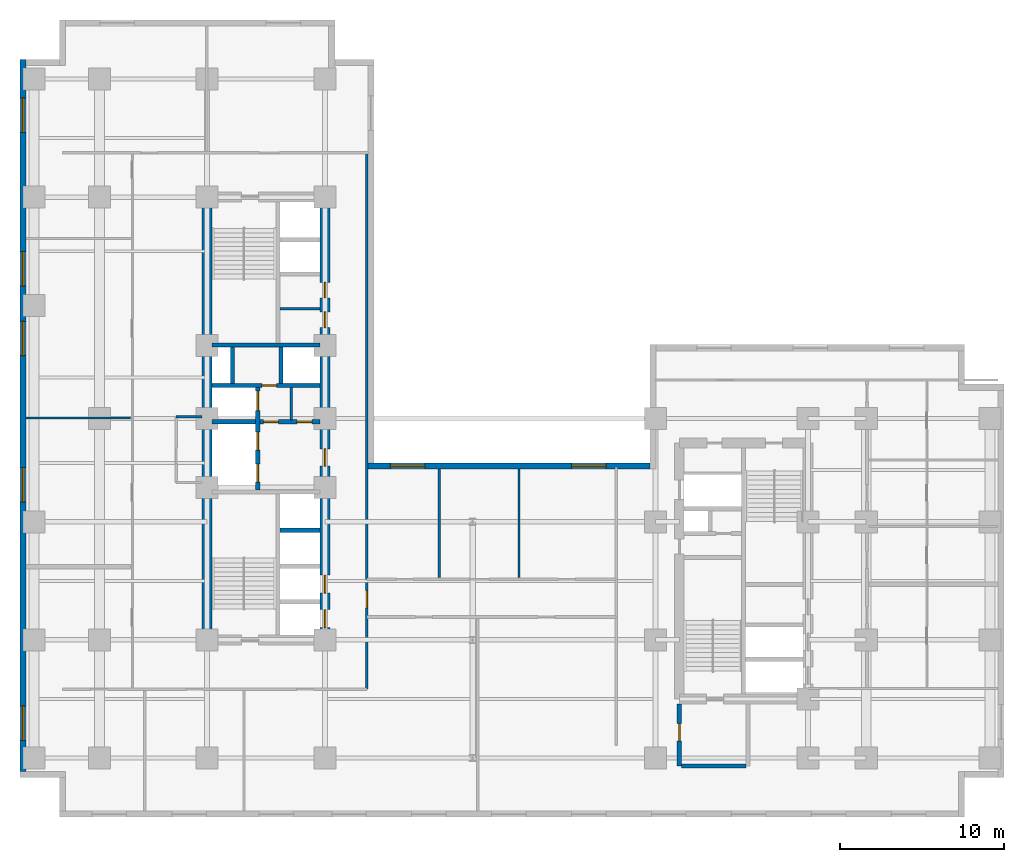
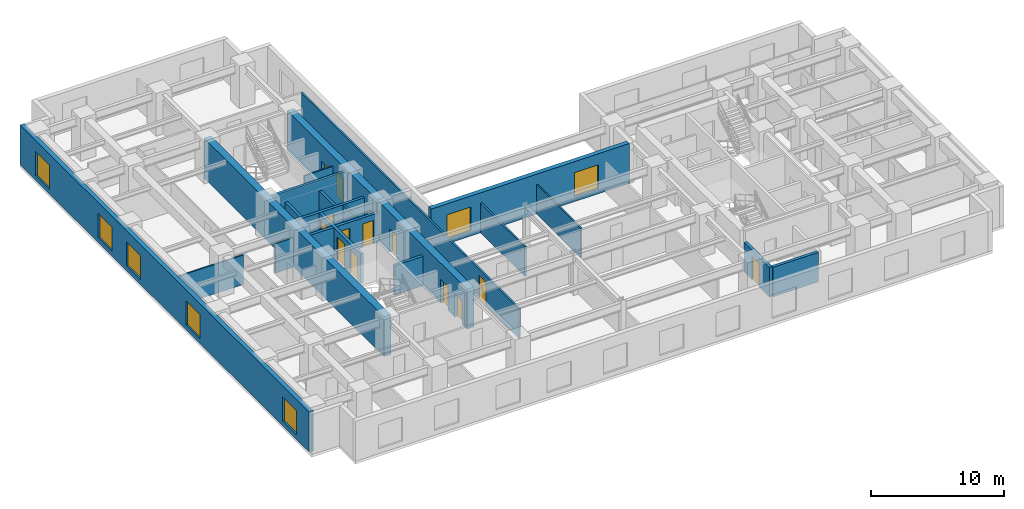
# One storey, part 4 of 10: 21 walls, 13 doors, 7 windows, 20 openings.
"""IFC4 building model written with IfcOpenShell, lengths in metres."""

import ifcopenshell
import ifcopenshell.guid

model = None  # the IFC model being written
_history = None  # IfcOwnerHistory: only IFC2X3 demands one
_inside = {}  # id of a spatial element -> (the spatial element, [elements in it])
_under = {}  # id of a project, library or spatial element -> (it, [spatial elements below it])
_declared = {}  # id of a project -> (the project, [libraries it declares])
_typed = {}  # id of a type object -> (the type object, [elements of that type])
_made_of = {}  # id of a material, layer set ... -> (it, [elements and type objects made of it])


def new_model(schema):
    """Start an empty IFC model of exactly this schema.

    Asked for "IFC4X3", IfcOpenShell would pick the latest addendum, in which some entities
    have other attributes; the version numbers below select the first issue.
    IFC2X3 requires an IfcOwnerHistory on every rooted entity: one is made here for all.
    """
    global model, _history
    if schema == "IFC4X3":
        model = ifcopenshell.file(schema_version=(4, 3, 0, 0))
    else:
        model = ifcopenshell.file(schema=schema)
    _inside.clear()
    _under.clear()
    _declared.clear()
    _typed.clear()
    _made_of.clear()
    _history = None
    if model.schema == "IFC2X3":
        org = make("IfcOrganization", Name="unknown")
        user = make(
            "IfcPersonAndOrganization",
            ThePerson=make("IfcPerson", FamilyName="unknown"),
            TheOrganization=org,
        )
        app = make(
            "IfcApplication",
            ApplicationDeveloper=org,
            Version="unknown",
            ApplicationFullName="unknown",
            ApplicationIdentifier="unknown",
        )
        _history = make(
            "IfcOwnerHistory",
            OwningUser=user,
            OwningApplication=app,
            ChangeAction="ADDED",
            CreationDate=0,
        )
    return model


def make(cls, **values):
    """One entity of the class cls with the attributes given. An attribute that is None is left unset."""
    return model.create_entity(
        cls, **{name: value for name, value in values.items() if value is not None}
    )


def entity(cls, *values):
    """Any entity or typed value of the class cls, its attributes in the order of the schema. None: left unset."""
    e = model.create_entity(cls)
    for i, value in enumerate(values):
        if value is not None:
            e[i] = value
    return e


def rooted(cls, **values):
    """An entity with a GlobalId (a new one), such as an element, a storey or a relation."""
    return make(cls, GlobalId=ifcopenshell.guid.new(), OwnerHistory=_history, **values)


def si_unit(unit_type, name, prefix=None):
    """IfcSIUnit, for example si_unit("LENGTHUNIT", "METRE", prefix="MILLI")."""
    return make("IfcSIUnit", UnitType=unit_type, Prefix=prefix, Name=name)


def converted_unit(unit_type, name, factor, base, dimensions=None, offset=None):
    """IfcConversionBasedUnit, such as the inch: factor (a typed value) times the base unit."""
    return make(
        "IfcConversionBasedUnit"
        if offset is None
        else "IfcConversionBasedUnitWithOffset",
        ConversionOffset=offset,
        Dimensions=None
        if dimensions is None
        else entity("IfcDimensionalExponents", *dimensions),
        UnitType=unit_type,
        Name=name,
        ConversionFactor=make(
            "IfcMeasureWithUnit", ValueComponent=factor, UnitComponent=base
        ),
    )


def assignment(units):
    """IfcUnitAssignment: the units of a project."""
    return None if units is None else make("IfcUnitAssignment", Units=units)


def point(xyz):
    """IfcCartesianPoint."""
    return None if xyz is None else make("IfcCartesianPoint", Coordinates=xyz)


def direction(xyz):
    """IfcDirection."""
    return None if xyz is None else make("IfcDirection", DirectionRatios=xyz)


def frame(location, z_axis=None, x_axis=None):
    """IfcAxis2Placement3D, a coordinate frame: its origin and axes. An axis left out is left unset."""
    return make(
        "IfcAxis2Placement3D",
        Location=point(location),
        Axis=direction(z_axis),
        RefDirection=direction(x_axis),
    )


def frame_2d(location, x_axis=None):
    """IfcAxis2Placement2D, a coordinate frame in the plane: its origin and x axis."""
    return make(
        "IfcAxis2Placement2D", Location=point(location), RefDirection=direction(x_axis)
    )


def origin_with_axes():
    """The frame at (0, 0, 0) with the z axis (0, 0, 1) and the x axis (1, 0, 0) written out."""
    return frame((0.0, 0.0, 0.0), z_axis=(0.0, 0.0, 1.0), x_axis=(1.0, 0.0, 0.0))


def origin_2d_with_axis():
    """The frame at (0, 0) in the plane with the x axis (1, 0) written out."""
    return frame_2d((0.0, 0.0), x_axis=(1.0, 0.0))


def place(relative_to, where):
    """IfcLocalPlacement: puts the frame where relative to a parent placement (None: the world)."""
    return make(
        "IfcLocalPlacement", PlacementRelTo=relative_to, RelativePlacement=where
    )


def context(
    kind, dimensions, precision=None, world=None, true_north=None, identifier=None
):
    """IfcGeometricRepresentationContext, for example the 3D "Model" context."""
    return make(
        "IfcGeometricRepresentationContext",
        ContextIdentifier=identifier,
        ContextType=kind,
        CoordinateSpaceDimension=dimensions,
        Precision=precision,
        WorldCoordinateSystem=world,
        TrueNorth=true_north,
    )


def subcontext(parent, identifier, kind, view, scale=None):
    """IfcGeometricRepresentationSubContext, for example "Body" below "Model"."""
    return make(
        "IfcGeometricRepresentationSubContext",
        ContextIdentifier=identifier,
        ContextType=kind,
        ParentContext=parent,
        TargetScale=scale,
        TargetView=view,
    )


def project(units=None, contexts=None):
    """IfcProject with its units and contexts."""
    return rooted(
        "IfcProject",
        Name="project",
        RepresentationContexts=contexts,
        UnitsInContext=assignment(units),
    )


def spatial(cls, under=None, at=None, **own):
    """A site, building, storey or space (cls), placed at a placement, below another one or the project."""
    s = rooted(cls, ObjectPlacement=at, **own)
    if under is not None:
        _under.setdefault(under.id(), (under, []))[1].append(s)
    return s


def polyline(points):
    """IfcPolyline through the points."""
    return make("IfcPolyline", Points=[point(p) for p in points])


def profile(cls, at=None, kind="AREA", **sizes):
    """A parametric profile (cls). Its sizes go by their IFC names, for example OverallWidth=200.0."""
    return make(cls, ProfileType=kind, Position=at, **sizes)


def rectangle(**sizes):
    """IfcRectangleProfileDef."""
    return profile("IfcRectangleProfileDef", **sizes)


def outline(outer, holes=None, kind="AREA"):
    """IfcArbitraryClosedProfileDef: a profile drawn as a closed curve; with holes, ...WithVoids."""
    if holes is None:
        return make("IfcArbitraryClosedProfileDef", ProfileType=kind, OuterCurve=outer)
    return make(
        "IfcArbitraryProfileDefWithVoids",
        ProfileType=kind,
        OuterCurve=outer,
        InnerCurves=holes,
    )


def extrude(swept, where, along, depth):
    """IfcExtrudedAreaSolid: the profile swept, set in the frame where, extruded along a direction by depth."""
    return make(
        "IfcExtrudedAreaSolid",
        SweptArea=swept,
        Position=where,
        ExtrudedDirection=direction(along),
        Depth=depth,
    )


def shape(context_of_items, identifier, shape_type, items):
    """IfcShapeRepresentation: the items that make up one representation, for example the "Body"."""
    return make(
        "IfcShapeRepresentation",
        ContextOfItems=context_of_items,
        RepresentationIdentifier=identifier,
        RepresentationType=shape_type,
        Items=items,
    )


def material(Name=None, Category=None):
    """IfcMaterial."""
    return make("IfcMaterial", Name=Name, Category=Category)


def layer(
    of_material, thickness, ventilated=None, Name=None, Category=None, Priority=None
):
    """IfcMaterialLayer: one layer of a wall or slab, of a material (None: an air gap)."""
    return make(
        "IfcMaterialLayer",
        Material=of_material,
        LayerThickness=thickness,
        IsVentilated=ventilated,
        Name=Name,
        Category=Category,
        Priority=Priority,
    )


def layer_set(layers, Name=None):
    """IfcMaterialLayerSet."""
    return make("IfcMaterialLayerSet", MaterialLayers=layers, LayerSetName=Name)


def made_of(thing, what):
    """Note that an element or type object is made of a material, layer set ...; save() writes the relation."""
    if what is not None:
        _made_of.setdefault(what.id(), (what, []))[1].append(thing)
    return thing


def type_object(cls, material=None, **own):
    """A type object (cls), such as IfcWallType, which elements share."""
    return made_of(rooted(cls, **own), material)


def element(
    cls,
    number,
    at=None,
    inside=None,
    cuts=None,
    type_object=None,
    material=None,
    context=None,
    identifier="Body",
    shape_type=None,
    held_by="IfcProductDefinitionShape",
    body=None,
    shapes=None,
    **own,
):
    """One element of the class cls, such as IfcWall. Its Tag is "e" and its number.

    at: its placement. inside: the storey or other place that contains it. cuts: it is an
    opening in that element (IfcRelVoidsElement). A single representation is given by context,
    identifier, shape_type and body (its items); several are given by shapes. held_by: the class
    of the entity that holds the representations. save() writes the other relations.
    """
    e = rooted(cls, Tag="e%d" % number, ObjectPlacement=at, **own)
    if body is not None:
        shapes = [shape(context, identifier, shape_type, body)]
    if shapes is not None:
        e.Representation = make(held_by, Representations=shapes)
    if inside is not None:
        _inside.setdefault(inside.id(), (inside, []))[1].append(e)
    if cuts is not None:
        rooted(
            "IfcRelVoidsElement", RelatingBuildingElement=cuts, RelatedOpeningElement=e
        )
    if type_object is not None:
        _typed.setdefault(type_object.id(), (type_object, []))[1].append(e)
    return made_of(e, material)


def fill(opening, filler):
    """IfcRelFillsElement: the door or window that sits in an opening."""
    return rooted(
        "IfcRelFillsElement",
        RelatingOpeningElement=opening,
        RelatedBuildingElement=filler,
    )


def aggregate(whole, parts):
    """IfcRelAggregates: a whole, such as a stair, and the parts it consists of."""
    return rooted("IfcRelAggregates", RelatingObject=whole, RelatedObjects=parts)


def save(model, path):
    """Write the relations noted so far, then the file.

    IfcRelAggregates (storeys below a building ...), IfcRelContainedInSpatialStructure (elements
    in a storey), IfcRelDefinesByType, IfcRelAssociatesMaterial and IfcRelDeclares: one each for
    every whole, place, type object, material and project.
    """
    for whole, parts in _under.values():
        aggregate(whole, parts)
    for where, things in _inside.values():
        rooted(
            "IfcRelContainedInSpatialStructure",
            RelatedElements=things,
            RelatingStructure=where,
        )
    for kind, things in _typed.values():
        rooted("IfcRelDefinesByType", RelatedObjects=things, RelatingType=kind)
    for what, things in _made_of.values():
        rooted("IfcRelAssociatesMaterial", RelatedObjects=things, RelatingMaterial=what)
    for by, libraries in _declared.values():
        rooted("IfcRelDeclares", RelatingContext=by, RelatedDefinitions=libraries)
    model.write(path)


model = new_model("IFC4")

# Units and contexts
model_context = context("Model", 3, precision=1e-05, world=origin_with_axes(), true_north=direction((0.0, 1.0)))
body_context = subcontext(model_context, "Body", "Model", "MODEL_VIEW")
ifc_project = project(units=[si_unit("LENGTHUNIT", "METRE"), si_unit("AREAUNIT", "SQUARE_METRE"), si_unit("VOLUMEUNIT", "CUBIC_METRE"), converted_unit("PLANEANGLEUNIT", "DEGREE", entity("IfcPlaneAngleMeasure", 0.017453292519943295), si_unit("PLANEANGLEUNIT", "RADIAN"), dimensions=[0, 0, 0, 0, 0, 0, 0]), si_unit("MASSUNIT", "GRAM", prefix="KILO"), si_unit("THERMODYNAMICTEMPERATUREUNIT", "KELVIN")], contexts=[model_context])

# Site, building, storey
site_placement = place(None, origin_with_axes())
site = spatial("IfcSite", under=ifc_project, at=site_placement, CompositionType="ELEMENT")
building_placement = place(site_placement, origin_with_axes())
building = spatial("IfcBuilding", under=site, at=building_placement, Name="Varnlund Millrace Tower", CompositionType="ELEMENT")
storey_placement = place(building_placement, frame((0.0, 0.0, 48.3), z_axis=(0.0, 0.0, 1.0), x_axis=(1.0, 0.0, 0.0)))
storey = spatial("IfcBuildingStorey", under=building, at=storey_placement, Name="L11", CompositionType="ELEMENT", Elevation=48.3)

# Wall
ifc_material_1 = material(Name="Concrete C80/95", Category="concrete")
ifc_layer_1 = layer(ifc_material_1, 0.6, Name="Concrete C80/95")
ifc_layer_set_1 = layer_set([ifc_layer_1], Name="Concrete C80/95")
wall_type_1 = type_object("IfcWallType", Name="Type-CoreWall-Shear-600-C80", PredefinedType="SHEAR", material=ifc_layer_set_1)
wall_1_placement = place(storey_placement, frame((11.4, 10.8, 0.0), z_axis=(0.0, 0.0, 1.0), x_axis=(0.0, 1.0, 0.0)))
element("IfcWall", 1, at=wall_1_placement, inside=storey, type_object=wall_type_1, Name="Type-CoreWall-Shear-600-C80", PredefinedType="SHEAR", context=body_context, shape_type="SweptSolid", body=[
    extrude(outline(polyline([(0.0, -0.3), (27.0, -0.3), (27.0, 0.3), (0.0, 0.3), (0.0, -0.3)])), origin_with_axes(), (0.0, 0.0, 1.0), 3.66),
])

# Wall, openings, doors
wall_2_placement = place(storey_placement, frame((18.6, 10.8, 0.0), z_axis=(0.0, 0.0, 1.0), x_axis=(0.0, 1.0, 0.0)))
wall_2 = element("IfcWall", 2, at=wall_2_placement, inside=storey, type_object=wall_type_1, Name="Type-CoreWall-Shear-600-C80", PredefinedType="SHEAR", context=body_context, shape_type="SweptSolid", body=[
    extrude(outline(polyline([(0.0, -0.3), (13.5, -0.3), (13.5, 0.3), (0.0, 0.3), (0.0, -0.3)])), origin_with_axes(), (0.0, 0.0, 1.0), 3.66),
])
opening_1_placement = place(wall_2_placement, frame((1.3, 0.0, 0.0), z_axis=(0.0, 0.0, 1.0), x_axis=(1.0, 0.0, 0.0)))
opening_1 = element("IfcOpeningElement", 3, at=opening_1_placement, cuts=wall_2, Name="Opening L11:LD-ELV-L1", PredefinedType="OPENING", context=body_context, shape_type="SweptSolid", body=[
    extrude(rectangle(XDim=1.1, YDim=0.62, at=origin_2d_with_axis()), origin_with_axes(), (0.0, 0.0, 1.0), 2.15),
])
opening_2_placement = place(wall_2_placement, frame((3.4, 0.0, 0.0), z_axis=(0.0, 0.0, 1.0), x_axis=(1.0, 0.0, 0.0)))
opening_2 = element("IfcOpeningElement", 4, at=opening_2_placement, cuts=wall_2, Name="Opening L11:LD-ELV-L2", PredefinedType="OPENING", context=body_context, shape_type="SweptSolid", body=[
    extrude(rectangle(XDim=1.1, YDim=0.62, at=origin_2d_with_axis()), origin_with_axes(), (0.0, 0.0, 1.0), 2.15),
])
opening_3_placement = place(wall_2_placement, frame((11.125, 0.0, 0.0), z_axis=(0.0, 0.0, 1.0), x_axis=(1.0, 0.0, 0.0)))
opening_3 = element("IfcOpeningElement", 5, at=opening_3_placement, cuts=wall_2, Name="Opening L11:DR-FFLOB-A", PredefinedType="OPENING", context=body_context, shape_type="SweptSolid", body=[
    extrude(rectangle(XDim=1.05, YDim=0.62, at=origin_2d_with_axis()), origin_with_axes(), (0.0, 0.0, 1.0), 2.15),
])
ifc_material_2 = material(Name="Smoke-barrier hollow steel fire door", Category="steel")
door_type_1 = type_object("IfcDoorType", Name="Type-FireDoor-Lobby-1050X2150", OperationType="NOTDEFINED", PredefinedType="DOOR", material=ifc_material_2)
door_1_placement = place(wall_2_placement, frame((11.125, 0.0, 0.0), z_axis=(0.0, 0.0, 1.0), x_axis=(1.0, 0.0, 0.0)))
door_1 = element("IfcDoor", 6, at=door_1_placement, inside=storey, type_object=door_type_1, Name="Type-FireDoor-Lobby-1050X2150", OperationType="SINGLE_SWING_LEFT", OverallHeight=2.15, OverallWidth=1.05, PredefinedType="DOOR", context=body_context, shape_type="SweptSolid", body=[
    extrude(rectangle(XDim=1.05, YDim=0.09, at=origin_2d_with_axis()), origin_with_axes(), (0.0, 0.0, 1.0), 2.15),
])
fill(opening_3, door_1)
ifc_material_3 = material(Name="Stainless and architectural bronze sliding landing door")
door_type_2 = type_object("IfcDoorType", Name="Type-LiftLandingDoor-1100X2150", OperationType="NOTDEFINED", PredefinedType="DOOR", material=ifc_material_3)
door_2_placement = place(wall_2_placement, frame((1.3, 0.0, 0.0), z_axis=(0.0, 0.0, 1.0), x_axis=(1.0, 0.0, 0.0)))
door_2 = element("IfcDoor", 7, at=door_2_placement, inside=storey, type_object=door_type_2, Name="Type-LiftLandingDoor-1100X2150", OperationType="SLIDING_TO_LEFT", OverallHeight=2.15, OverallWidth=1.1, PredefinedType="DOOR", context=body_context, shape_type="SweptSolid", body=[
    extrude(rectangle(XDim=1.1, YDim=0.09, at=origin_2d_with_axis()), origin_with_axes(), (0.0, 0.0, 1.0), 2.15),
])
fill(opening_1, door_2)
door_3_placement = place(wall_2_placement, frame((3.4, 0.0, 0.0), z_axis=(0.0, 0.0, 1.0), x_axis=(1.0, 0.0, 0.0)))
door_3 = element("IfcDoor", 8, at=door_3_placement, inside=storey, type_object=door_type_2, Name="Type-LiftLandingDoor-1100X2150", OperationType="SLIDING_TO_RIGHT", OverallHeight=2.15, OverallWidth=1.1, PredefinedType="DOOR", context=body_context, shape_type="SweptSolid", body=[
    extrude(rectangle(XDim=1.1, YDim=0.09, at=origin_2d_with_axis()), origin_with_axes(), (0.0, 0.0, 1.0), 2.15),
])
fill(opening_2, door_3)

wall_3_placement = place(storey_placement, frame((18.6, 24.3, 0.0), z_axis=(0.0, 0.0, 1.0), x_axis=(0.0, 1.0, 0.0)))
wall_3 = element("IfcWall", 9, at=wall_3_placement, inside=storey, type_object=wall_type_1, Name="Type-CoreWall-Shear-600-C80", PredefinedType="SHEAR", context=body_context, shape_type="SweptSolid", body=[
    extrude(outline(polyline([(0.0, -0.3), (13.5, -0.3), (13.5, 0.3), (0.0, 0.3), (0.0, -0.3)])), origin_with_axes(), (0.0, 0.0, 1.0), 3.66),
])
opening_4_placement = place(wall_3_placement, frame((6.025, 0.0, 0.0), z_axis=(0.0, 0.0, 1.0), x_axis=(1.0, 0.0, 0.0)))
opening_4 = element("IfcOpeningElement", 10, at=opening_4_placement, cuts=wall_3, Name="Opening L11:DR-CA-WC1", PredefinedType="OPENING", context=body_context, shape_type="SweptSolid", body=[
    extrude(rectangle(XDim=0.95, YDim=0.62, at=origin_2d_with_axis()), origin_with_axes(), (0.0, 0.0, 1.0), 2.15),
])
opening_5_placement = place(wall_3_placement, frame((7.825, 0.0, 0.0), z_axis=(0.0, 0.0, 1.0), x_axis=(1.0, 0.0, 0.0)))
opening_5 = element("IfcOpeningElement", 11, at=opening_5_placement, cuts=wall_3, Name="Opening L11:DR-CA-WC2", PredefinedType="OPENING", context=body_context, shape_type="SweptSolid", body=[
    extrude(rectangle(XDim=0.95, YDim=0.62, at=origin_2d_with_axis()), origin_with_axes(), (0.0, 0.0, 1.0), 2.15),
])
ifc_material_4 = material(Name="Fire-rated hollow steel core service door", Category="steel")
door_type_3 = type_object("IfcDoorType", Name="Type-FireDoor-Service-950X2150", OperationType="NOTDEFINED", PredefinedType="DOOR", material=ifc_material_4)
door_4_placement = place(wall_3_placement, frame((6.025, 0.0, 0.0), z_axis=(0.0, 0.0, 1.0), x_axis=(1.0, 0.0, 0.0)))
door_4 = element("IfcDoor", 12, at=door_4_placement, inside=storey, type_object=door_type_3, Name="Type-FireDoor-Service-950X2150", OperationType="SINGLE_SWING_RIGHT", OverallHeight=2.15, OverallWidth=0.95, PredefinedType="DOOR", context=body_context, shape_type="SweptSolid", body=[
    extrude(rectangle(XDim=0.95, YDim=0.09, at=origin_2d_with_axis()), origin_with_axes(), (0.0, 0.0, 1.0), 2.15),
])
fill(opening_4, door_4)
door_5_placement = place(wall_3_placement, frame((7.825, 0.0, 0.0), z_axis=(0.0, 0.0, 1.0), x_axis=(1.0, 0.0, 0.0)))
door_5 = element("IfcDoor", 13, at=door_5_placement, inside=storey, type_object=door_type_3, Name="Type-FireDoor-Service-950X2150", OperationType="SINGLE_SWING_RIGHT", OverallHeight=2.15, OverallWidth=0.95, PredefinedType="DOOR", context=body_context, shape_type="SweptSolid", body=[
    extrude(rectangle(XDim=0.95, YDim=0.09, at=origin_2d_with_axis()), origin_with_axes(), (0.0, 0.0, 1.0), 2.15),
])
fill(opening_5, door_5)

# Wall, openings, windows
ifc_material_5 = material(Name="Precast concrete C50/60", Category="concrete")
ifc_layer_2 = layer(ifc_material_5, 0.38, Name="Precast concrete C50/60")
ifc_layer_set_2 = layer_set([ifc_layer_2], Name="Precast concrete C50/60")
wall_type_2 = type_object("IfcWallType", Name="Type-ExtWall-Precast-Tube-380", PredefinedType="SOLIDWALL", material=ifc_layer_set_2)
wall_4_placement = place(storey_placement, frame((0.19, 2.78, 0.0), z_axis=(0.0, 0.0, 1.0), x_axis=(0.0, 1.0, 0.0)))
wall_4 = element("IfcWall", 14, at=wall_4_placement, inside=storey, type_object=wall_type_2, Name="Type-ExtWall-Precast-Tube-380", PredefinedType="SOLIDWALL", context=body_context, shape_type="SweptSolid", body=[
    extrude(outline(polyline([(0.0, -0.19), (43.42, -0.19), (43.42, 0.19), (0.0, 0.19), (0.0, -0.19)])), origin_with_axes(), (0.0, 0.0, 1.0), 3.66),
])
opening_6_placement = place(wall_4_placement, frame((2.946, 0.0, 0.45), z_axis=(0.0, 0.0, 1.0), x_axis=(1.0, 0.0, 0.0)))
opening_6 = element("IfcOpeningElement", 15, at=opening_6_placement, cuts=wall_4, Name="Opening L11:WN-16", PredefinedType="OPENING", context=body_context, shape_type="SweptSolid", body=[
    extrude(rectangle(XDim=2.1, YDim=0.4, at=origin_2d_with_axis()), origin_with_axes(), (0.0, 0.0, 1.0), 2.2),
])
opening_7_placement = place(wall_4_placement, frame((17.469, 0.0, 0.45), z_axis=(0.0, 0.0, 1.0), x_axis=(1.0, 0.0, 0.0)))
opening_7 = element("IfcOpeningElement", 16, at=opening_7_placement, cuts=wall_4, Name="Opening L11:WN-17", PredefinedType="OPENING", context=body_context, shape_type="SweptSolid", body=[
    extrude(rectangle(XDim=2.1, YDim=0.4, at=origin_2d_with_axis()), origin_with_axes(), (0.0, 0.0, 1.0), 2.2),
])
opening_8_placement = place(wall_4_placement, frame((26.401, 0.0, 0.45), z_axis=(0.0, 0.0, 1.0), x_axis=(1.0, 0.0, 0.0)))
opening_8 = element("IfcOpeningElement", 17, at=opening_8_placement, cuts=wall_4, Name="Opening L11:WN-18", PredefinedType="OPENING", context=body_context, shape_type="SweptSolid", body=[
    extrude(rectangle(XDim=2.1, YDim=0.4, at=origin_2d_with_axis()), origin_with_axes(), (0.0, 0.0, 1.0), 2.2),
])
opening_9_placement = place(wall_4_placement, frame((30.642, 0.0, 0.45), z_axis=(0.0, 0.0, 1.0), x_axis=(1.0, 0.0, 0.0)))
opening_9 = element("IfcOpeningElement", 18, at=opening_9_placement, cuts=wall_4, Name="Opening L11:WN-19", PredefinedType="OPENING", context=body_context, shape_type="SweptSolid", body=[
    extrude(rectangle(XDim=2.1, YDim=0.4, at=origin_2d_with_axis()), origin_with_axes(), (0.0, 0.0, 1.0), 2.2),
])
opening_10_placement = place(wall_4_placement, frame((40.024, 0.0, 0.45), z_axis=(0.0, 0.0, 1.0), x_axis=(1.0, 0.0, 0.0)))
opening_10 = element("IfcOpeningElement", 19, at=opening_10_placement, cuts=wall_4, Name="Opening L11:WN-20", PredefinedType="OPENING", context=body_context, shape_type="SweptSolid", body=[
    extrude(rectangle(XDim=2.1, YDim=0.4, at=origin_2d_with_axis()), origin_with_axes(), (0.0, 0.0, 1.0), 2.2),
])
ifc_material_6 = material(Name="Argon low-e triple glazing in thermally broken bronze frame", Category="glass")
window_type = type_object("IfcWindowType", Name="Type-Window-Punched-2100X2200", PartitioningType="SINGLE_PANEL", PredefinedType="WINDOW", material=ifc_material_6)
window_1_placement = place(wall_4_placement, frame((2.946, 0.0, 0.45), z_axis=(0.0, 0.0, 1.0), x_axis=(1.0, 0.0, 0.0)))
window_1 = element("IfcWindow", 20, at=window_1_placement, inside=storey, type_object=window_type, Name="Type-Window-Punched-2100X2200", OverallHeight=2.2, OverallWidth=2.1, PredefinedType="WINDOW", context=body_context, shape_type="SweptSolid", body=[
    extrude(rectangle(XDim=2.1, YDim=0.09, at=origin_2d_with_axis()), origin_with_axes(), (0.0, 0.0, 1.0), 2.2),
])
fill(opening_6, window_1)
window_2_placement = place(wall_4_placement, frame((17.469, 0.0, 0.45), z_axis=(0.0, 0.0, 1.0), x_axis=(1.0, 0.0, 0.0)))
window_2 = element("IfcWindow", 21, at=window_2_placement, inside=storey, type_object=window_type, Name="Type-Window-Punched-2100X2200", OverallHeight=2.2, OverallWidth=2.1, PredefinedType="WINDOW", context=body_context, shape_type="SweptSolid", body=[
    extrude(rectangle(XDim=2.1, YDim=0.09, at=origin_2d_with_axis()), origin_with_axes(), (0.0, 0.0, 1.0), 2.2),
])
fill(opening_7, window_2)
window_3_placement = place(wall_4_placement, frame((26.401, 0.0, 0.45), z_axis=(0.0, 0.0, 1.0), x_axis=(1.0, 0.0, 0.0)))
window_3 = element("IfcWindow", 22, at=window_3_placement, inside=storey, type_object=window_type, Name="Type-Window-Punched-2100X2200", OverallHeight=2.2, OverallWidth=2.1, PredefinedType="WINDOW", context=body_context, shape_type="SweptSolid", body=[
    extrude(rectangle(XDim=2.1, YDim=0.09, at=origin_2d_with_axis()), origin_with_axes(), (0.0, 0.0, 1.0), 2.2),
])
fill(opening_8, window_3)
window_4_placement = place(wall_4_placement, frame((30.642, 0.0, 0.45), z_axis=(0.0, 0.0, 1.0), x_axis=(1.0, 0.0, 0.0)))
window_4 = element("IfcWindow", 23, at=window_4_placement, inside=storey, type_object=window_type, Name="Type-Window-Punched-2100X2200", OverallHeight=2.2, OverallWidth=2.1, PredefinedType="WINDOW", context=body_context, shape_type="SweptSolid", body=[
    extrude(rectangle(XDim=2.1, YDim=0.09, at=origin_2d_with_axis()), origin_with_axes(), (0.0, 0.0, 1.0), 2.2),
])
fill(opening_9, window_4)
window_5_placement = place(wall_4_placement, frame((40.024, 0.0, 0.45), z_axis=(0.0, 0.0, 1.0), x_axis=(1.0, 0.0, 0.0)))
window_5 = element("IfcWindow", 24, at=window_5_placement, inside=storey, type_object=window_type, Name="Type-Window-Punched-2100X2200", OverallHeight=2.2, OverallWidth=2.1, PredefinedType="WINDOW", context=body_context, shape_type="SweptSolid", body=[
    extrude(rectangle(XDim=2.1, YDim=0.09, at=origin_2d_with_axis()), origin_with_axes(), (0.0, 0.0, 1.0), 2.2),
])
fill(opening_10, window_5)

wall_5_placement = place(storey_placement, frame((21.22, 21.41, 0.0), z_axis=(0.0, 0.0, 1.0), x_axis=(1.0, 0.0, 0.0)))
wall_5 = element("IfcWall", 25, at=wall_5_placement, inside=storey, type_object=wall_type_2, Name="Type-ExtWall-Precast-Tube-380", PredefinedType="SOLIDWALL", context=body_context, shape_type="SweptSolid", body=[
    extrude(outline(polyline([(0.0, -0.19), (17.18, -0.19), (17.18, 0.19), (0.0, 0.19), (0.0, -0.19)])), origin_with_axes(), (0.0, 0.0, 1.0), 3.66),
])
opening_11_placement = place(wall_5_placement, frame((2.413, 0.0, 0.45), z_axis=(0.0, 0.0, 1.0), x_axis=(1.0, 0.0, 0.0)))
opening_11 = element("IfcOpeningElement", 26, at=opening_11_placement, cuts=wall_5, Name="Opening L11:WN-24", PredefinedType="OPENING", context=body_context, shape_type="SweptSolid", body=[
    extrude(rectangle(XDim=2.1, YDim=0.4, at=origin_2d_with_axis()), origin_with_axes(), (0.0, 0.0, 1.0), 2.2),
])
opening_12_placement = place(wall_5_placement, frame((13.467, 0.0, 0.45), z_axis=(0.0, 0.0, 1.0), x_axis=(1.0, 0.0, 0.0)))
opening_12 = element("IfcOpeningElement", 27, at=opening_12_placement, cuts=wall_5, Name="Opening L11:WN-25", PredefinedType="OPENING", context=body_context, shape_type="SweptSolid", body=[
    extrude(rectangle(XDim=2.1, YDim=0.4, at=origin_2d_with_axis()), origin_with_axes(), (0.0, 0.0, 1.0), 2.2),
])
window_6_placement = place(wall_5_placement, frame((2.413, 0.0, 0.45), z_axis=(0.0, 0.0, 1.0), x_axis=(1.0, 0.0, 0.0)))
window_6 = element("IfcWindow", 28, at=window_6_placement, inside=storey, type_object=window_type, Name="Type-Window-Punched-2100X2200", OverallHeight=2.2, OverallWidth=2.1, PredefinedType="WINDOW", context=body_context, shape_type="SweptSolid", body=[
    extrude(rectangle(XDim=2.1, YDim=0.09, at=origin_2d_with_axis()), origin_with_axes(), (0.0, 0.0, 1.0), 2.2),
])
fill(opening_11, window_6)
window_7_placement = place(wall_5_placement, frame((13.467, 0.0, 0.45), z_axis=(0.0, 0.0, 1.0), x_axis=(1.0, 0.0, 0.0)))
window_7 = element("IfcWindow", 29, at=window_7_placement, inside=storey, type_object=window_type, Name="Type-Window-Punched-2100X2200", OverallHeight=2.2, OverallWidth=2.1, PredefinedType="WINDOW", context=body_context, shape_type="SweptSolid", body=[
    extrude(rectangle(XDim=2.1, YDim=0.09, at=origin_2d_with_axis()), origin_with_axes(), (0.0, 0.0, 1.0), 2.2),
])
fill(opening_12, window_7)

# Wall
ifc_material_7 = material(Name="Fire-rated gypsum board on cold-formed steel framing", Category="steel")
ifc_layer_3 = layer(ifc_material_7, 0.16, Name="Fire-rated gypsum board on cold-formed steel framing")
ifc_layer_set_3 = layer_set([ifc_layer_3], Name="Fire-rated gypsum board on cold-formed steel framing")
wall_type_3 = type_object("IfcWallType", Name="Type-Partition-Corridor-160", PredefinedType="PARTITIONING", material=ifc_layer_set_3)
wall_6_placement = place(storey_placement, frame((16.55, 24.22, 0.0), z_axis=(0.0, 0.0, 1.0), x_axis=(0.0, 1.0, 0.0)))
element("IfcWall", 30, at=wall_6_placement, inside=storey, type_object=wall_type_3, Name="Type-Partition-Corridor-160", PredefinedType="PARTITIONING", context=body_context, shape_type="SweptSolid", body=[
    extrude(outline(polyline([(0.0, -0.08), (1.98, -0.08), (1.98, 0.08), (0.0, 0.08), (0.0, -0.08)])), origin_with_axes(), (0.0, 0.0, 1.0), 2.7),
])

# Wall, opening, door
wall_7_placement = place(storey_placement, frame((21.15, 7.8, 0.0), z_axis=(0.0, 0.0, 1.0), x_axis=(0.0, 1.0, 0.0)))
wall_7 = element("IfcWall", 31, at=wall_7_placement, inside=storey, type_object=wall_type_3, Name="Type-Partition-Corridor-160", PredefinedType="PARTITIONING", context=body_context, shape_type="SweptSolid", body=[
    extrude(outline(polyline([(0.0, -0.08), (32.7, -0.08), (32.7, 0.08), (0.0, 0.08), (0.0, -0.08)])), origin_with_axes(), (0.0, 0.0, 1.0), 2.7),
])
opening_13_placement = place(wall_7_placement, frame((5.475, 0.0, 0.0), z_axis=(0.0, 0.0, 1.0), x_axis=(1.0, 0.0, 0.0)))
opening_13 = element("IfcOpeningElement", 32, at=opening_13_placement, cuts=wall_7, Name="Opening L11:DR-KN-W", PredefinedType="OPENING", context=body_context, shape_type="SweptSolid", body=[
    extrude(rectangle(XDim=1.05, YDim=0.18, at=origin_2d_with_axis()), origin_with_axes(), (0.0, 0.0, 1.0), 2.15),
])
door_6_placement = place(wall_7_placement, frame((5.475, 0.0, 0.0), z_axis=(0.0, 0.0, 1.0), x_axis=(1.0, 0.0, 0.0)))
door_6 = element("IfcDoor", 33, at=door_6_placement, inside=storey, type_object=door_type_1, Name="Type-FireDoor-Lobby-1050X2150", OperationType="SINGLE_SWING_LEFT", OverallHeight=2.15, OverallWidth=1.05, PredefinedType="DOOR", context=body_context, shape_type="SweptSolid", body=[
    extrude(rectangle(XDim=1.05, YDim=0.09, at=origin_2d_with_axis()), origin_with_axes(), (0.0, 0.0, 1.0), 2.15),
])
fill(opening_13, door_6)

# Walls
ifc_material_8 = material(Name="Acoustic STC-50 gypsum board partition", Category="gypsum")
ifc_layer_4 = layer(ifc_material_8, 0.15, Name="Acoustic STC-50 gypsum board partition")
ifc_layer_set_4 = layer_set([ifc_layer_4], Name="Acoustic STC-50 gypsum board partition")
wall_type_4 = type_object("IfcWallType", Name="Type-Partition-Demising-150", PredefinedType="PARTITIONING", material=ifc_layer_set_4)
wall_8_placement = place(storey_placement, frame((25.575, 14.62, 0.0), z_axis=(0.0, 0.0, 1.0), x_axis=(0.0, 1.0, 0.0)))
element("IfcWall", 34, at=wall_8_placement, inside=storey, type_object=wall_type_4, Name="Type-Partition-Demising-150", PredefinedType="PARTITIONING", context=body_context, shape_type="SweptSolid", body=[
    extrude(outline(polyline([(0.0, -0.075), (6.605, -0.075), (6.605, 0.075), (0.0, 0.075), (0.0, -0.075)])), origin_with_axes(), (0.0, 0.0, 1.0), 2.7),
])
ifc_material_9 = material(Name="Gypsum board tenant partition", Category="gypsum")
ifc_layer_5 = layer(ifc_material_9, 0.125, Name="Gypsum board tenant partition")
ifc_layer_set_5 = layer_set([ifc_layer_5], Name="Gypsum board tenant partition")
wall_type_5 = type_object("IfcWallType", Name="Type-Partition-Tenant-125", PredefinedType="PARTITIONING", material=ifc_layer_set_5)
wall_9_placement = place(storey_placement, frame((0.375, 24.329, 0.0), z_axis=(0.0, 0.0, 1.0), x_axis=(1.0, 0.0, 0.0)))
element("IfcWall", 35, at=wall_9_placement, inside=storey, type_object=wall_type_5, Name="Type-Partition-Tenant-125", PredefinedType="PARTITIONING", context=body_context, shape_type="SweptSolid", body=[
    extrude(outline(polyline([(0.0, -0.0625), (6.355, -0.0625), (6.355, 0.0625), (0.0, 0.0625), (0.0, -0.0625)])), origin_with_axes(), (0.0, 0.0, 1.0), 2.7),
])
wall_10_placement = place(storey_placement, frame((30.427, 14.62, 0.0), z_axis=(0.0, 0.0, 1.0), x_axis=(0.0, 1.0, 0.0)))
element("IfcWall", 36, at=wall_10_placement, inside=storey, type_object=wall_type_5, Name="Type-Partition-Tenant-125", PredefinedType="PARTITIONING", context=body_context, shape_type="SweptSolid", body=[
    extrude(outline(polyline([(0.0, -0.0625), (6.605, -0.0625), (6.605, 0.0625), (0.0, 0.0625), (0.0, -0.0625)])), origin_with_axes(), (0.0, 0.0, 1.0), 2.7),
])
ifc_material_10 = material(Name="Moisture-resistant gypsum restroom partition", Category="gypsum")
ifc_layer_6 = layer(ifc_material_10, 0.14, Name="Moisture-resistant gypsum restroom partition")
ifc_layer_set_6 = layer_set([ifc_layer_6], Name="Moisture-resistant gypsum restroom partition")
wall_type_6 = type_object("IfcWallType", Name="Type-Partition-Wet-140", PredefinedType="PARTITIONING", material=ifc_layer_set_6)
wall_11_placement = place(storey_placement, frame((15.84, 31.0, 0.0), z_axis=(0.0, 0.0, 1.0), x_axis=(1.0, 0.0, 0.0)))
element("IfcWall", 37, at=wall_11_placement, inside=storey, type_object=wall_type_6, Name="Type-Partition-Wet-140", PredefinedType="PARTITIONING", context=body_context, shape_type="SweptSolid", body=[
    extrude(outline(polyline([(0.0, -0.07), (2.46, -0.07), (2.46, 0.07), (0.0, 0.07), (0.0, -0.07)])), origin_with_axes(), (0.0, 0.0, 1.0), 2.7),
])
wall_12_placement = place(storey_placement, frame((9.52, 24.4, 0.0), z_axis=(0.0, 0.0, 1.0), x_axis=(1.0, 0.0, 0.0)))
element("IfcWall", 38, at=wall_12_placement, inside=storey, type_object=wall_type_6, Name="Type-Partition-Wet-140", PredefinedType="PARTITIONING", context=body_context, shape_type="SweptSolid", body=[
    extrude(outline(polyline([(0.0, -0.07), (1.58, -0.07), (1.58, 0.07), (0.0, 0.07), (0.0, -0.07)])), origin_with_axes(), (0.0, 0.0, 1.0), 2.7),
])

# Wall, openings, doors
ifc_material_11 = material(Name="Concrete C60/75", Category="concrete")
ifc_layer_7 = layer(ifc_material_11, 0.25, Name="Concrete C60/75")
ifc_layer_set_7 = layer_set([ifc_layer_7], Name="Concrete C60/75")
wall_type_7 = type_object("IfcWallType", Name="Type-ShaftWall-Fire-250", PredefinedType="SOLIDWALL", material=ifc_layer_set_7)
wall_13_placement = place(storey_placement, frame((14.5, 19.95, 0.0), z_axis=(0.0, 0.0, 1.0), x_axis=(0.0, 1.0, 0.0)))
wall_13 = element("IfcWall", 39, at=wall_13_placement, inside=storey, type_object=wall_type_7, Name="Type-ShaftWall-Fire-250", PredefinedType="SOLIDWALL", context=body_context, shape_type="SweptSolid", body=[
    extrude(outline(polyline([(0.0, -0.125), (6.25, -0.125), (6.25, 0.125), (0.0, 0.125), (0.0, -0.125)])), origin_with_axes(), (0.0, 0.0, 1.0), 2.7),
])
opening_14_placement = place(wall_13_placement, frame((1.025, 0.0, 0.0), z_axis=(0.0, 0.0, 1.0), x_axis=(1.0, 0.0, 0.0)))
opening_14 = element("IfcOpeningElement", 40, at=opening_14_placement, cuts=wall_13, Name="Opening L11:LD-FSAE1", PredefinedType="OPENING", context=body_context, shape_type="SweptSolid", body=[
    extrude(rectangle(XDim=1.1, YDim=0.27, at=origin_2d_with_axis()), origin_with_axes(), (0.0, 0.0, 1.0), 2.15),
])
opening_15_placement = place(wall_13_placement, frame((2.975, 0.0, 0.0), z_axis=(0.0, 0.0, 1.0), x_axis=(1.0, 0.0, 0.0)))
opening_15 = element("IfcOpeningElement", 41, at=opening_15_placement, cuts=wall_13, Name="Opening L11:LD-FSAE2", PredefinedType="OPENING", context=body_context, shape_type="SweptSolid", body=[
    extrude(rectangle(XDim=1.1, YDim=0.27, at=origin_2d_with_axis()), origin_with_axes(), (0.0, 0.0, 1.0), 2.15),
])
opening_16_placement = place(wall_13_placement, frame((5.425, 0.0, 0.0), z_axis=(0.0, 0.0, 1.0), x_axis=(1.0, 0.0, 0.0)))
opening_16 = element("IfcOpeningElement", 42, at=opening_16_placement, cuts=wall_13, Name="Opening L11:LD-SRV1", PredefinedType="OPENING", context=body_context, shape_type="SweptSolid", body=[
    extrude(rectangle(XDim=1.2, YDim=0.27, at=origin_2d_with_axis()), origin_with_axes(), (0.0, 0.0, 1.0), 2.15),
])
door_7_placement = place(wall_13_placement, frame((1.025, 0.0, 0.0), z_axis=(0.0, 0.0, 1.0), x_axis=(1.0, 0.0, 0.0)))
door_7 = element("IfcDoor", 43, at=door_7_placement, inside=storey, type_object=door_type_2, Name="Type-LiftLandingDoor-1100X2150", OperationType="SLIDING_TO_LEFT", OverallHeight=2.15, OverallWidth=1.1, PredefinedType="DOOR", context=body_context, shape_type="SweptSolid", body=[
    extrude(rectangle(XDim=1.1, YDim=0.09, at=origin_2d_with_axis()), origin_with_axes(), (0.0, 0.0, 1.0), 2.15),
])
fill(opening_14, door_7)
door_8_placement = place(wall_13_placement, frame((2.975, 0.0, 0.0), z_axis=(0.0, 0.0, 1.0), x_axis=(1.0, 0.0, 0.0)))
door_8 = element("IfcDoor", 44, at=door_8_placement, inside=storey, type_object=door_type_2, Name="Type-LiftLandingDoor-1100X2150", OperationType="SLIDING_TO_RIGHT", OverallHeight=2.15, OverallWidth=1.1, PredefinedType="DOOR", context=body_context, shape_type="SweptSolid", body=[
    extrude(rectangle(XDim=1.1, YDim=0.09, at=origin_2d_with_axis()), origin_with_axes(), (0.0, 0.0, 1.0), 2.15),
])
fill(opening_15, door_8)
ifc_material_12 = material(Name="Heavy-duty freight sliding landing door")
door_type_4 = type_object("IfcDoorType", Name="Type-LiftLandingDoor-Service-1200X2150", OperationType="NOTDEFINED", PredefinedType="DOOR", material=ifc_material_12)
door_9_placement = place(wall_13_placement, frame((5.425, 0.0, 0.0), z_axis=(0.0, 0.0, 1.0), x_axis=(1.0, 0.0, 0.0)))
door_9 = element("IfcDoor", 45, at=door_9_placement, inside=storey, type_object=door_type_4, Name="Type-LiftLandingDoor-Service-1200X2150", OperationType="DOUBLE_DOOR_SLIDING", OverallHeight=2.15, OverallWidth=1.2, PredefinedType="DOOR", context=body_context, shape_type="SweptSolid", body=[
    extrude(rectangle(XDim=1.2, YDim=0.09, at=origin_2d_with_axis()), origin_with_axes(), (0.0, 0.0, 1.0), 2.15),
])
fill(opening_16, door_9)

wall_14_placement = place(storey_placement, frame((11.7, 24.1, 0.0), z_axis=(0.0, 0.0, 1.0), x_axis=(1.0, 0.0, 0.0)))
wall_14 = element("IfcWall", 46, at=wall_14_placement, inside=storey, type_object=wall_type_7, Name="Type-ShaftWall-Fire-250", PredefinedType="SOLIDWALL", context=body_context, shape_type="SweptSolid", body=[
    extrude(outline(polyline([(0.0, -0.125), (6.6, -0.125), (6.6, 0.125), (0.0, 0.125), (0.0, -0.125)])), origin_with_axes(), (0.0, 0.0, 1.0), 2.7),
])
opening_17_placement = place(wall_14_placement, frame((3.6, 0.0, 0.0), z_axis=(0.0, 0.0, 1.0), x_axis=(1.0, 0.0, 0.0)))
opening_17 = element("IfcOpeningElement", 47, at=opening_17_placement, cuts=wall_14, Name="Opening L11:DR-CA-SUB1", PredefinedType="OPENING", context=body_context, shape_type="SweptSolid", body=[
    extrude(rectangle(XDim=0.9, YDim=0.27, at=origin_2d_with_axis()), origin_with_axes(), (0.0, 0.0, 1.0), 2.15),
])
opening_18_placement = place(wall_14_placement, frame((5.65, 0.0, 0.0), z_axis=(0.0, 0.0, 1.0), x_axis=(1.0, 0.0, 0.0)))
opening_18 = element("IfcOpeningElement", 48, at=opening_18_placement, cuts=wall_14, Name="Opening L11:DR-CA-SUB2", PredefinedType="OPENING", context=body_context, shape_type="SweptSolid", body=[
    extrude(rectangle(XDim=0.9, YDim=0.27, at=origin_2d_with_axis()), origin_with_axes(), (0.0, 0.0, 1.0), 2.15),
])
ifc_material_13 = material(Name="Fire-rated hollow steel service closet door", Category="steel")
door_type_5 = type_object("IfcDoorType", Name="Type-FireDoor-Closet-900X2150", OperationType="NOTDEFINED", PredefinedType="DOOR", material=ifc_material_13)
door_10_placement = place(wall_14_placement, frame((3.6, 0.0, 0.0), z_axis=(0.0, 0.0, 1.0), x_axis=(1.0, 0.0, 0.0)))
door_10 = element("IfcDoor", 49, at=door_10_placement, inside=storey, type_object=door_type_5, Name="Type-FireDoor-Closet-900X2150", OperationType="SINGLE_SWING_LEFT", OverallHeight=2.15, OverallWidth=0.9, PredefinedType="DOOR", context=body_context, shape_type="SweptSolid", body=[
    extrude(rectangle(XDim=0.9, YDim=0.09, at=origin_2d_with_axis()), origin_with_axes(), (0.0, 0.0, 1.0), 2.15),
])
fill(opening_17, door_10)
door_11_placement = place(wall_14_placement, frame((5.65, 0.0, 0.0), z_axis=(0.0, 0.0, 1.0), x_axis=(1.0, 0.0, 0.0)))
door_11 = element("IfcDoor", 50, at=door_11_placement, inside=storey, type_object=door_type_5, Name="Type-FireDoor-Closet-900X2150", OperationType="SINGLE_SWING_LEFT", OverallHeight=2.15, OverallWidth=0.9, PredefinedType="DOOR", context=body_context, shape_type="SweptSolid", body=[
    extrude(rectangle(XDim=0.9, YDim=0.09, at=origin_2d_with_axis()), origin_with_axes(), (0.0, 0.0, 1.0), 2.15),
])
fill(opening_18, door_11)

# Wall, opening, door
wall_15_placement = place(storey_placement, frame((11.7, 26.325, 0.0), z_axis=(0.0, 0.0, 1.0), x_axis=(1.0, 0.0, 0.0)))
wall_15 = element("IfcWall", 51, at=wall_15_placement, inside=storey, type_object=wall_type_7, Name="Type-ShaftWall-Fire-250", PredefinedType="SOLIDWALL", context=body_context, shape_type="SweptSolid", body=[
    extrude(outline(polyline([(0.0, -0.125), (6.6, -0.125), (6.6, 0.125), (0.0, 0.125), (0.0, -0.125)])), origin_with_axes(), (0.0, 0.0, 1.0), 2.7),
])
opening_19_placement = place(wall_15_placement, frame((3.5, 0.0, 0.0), z_axis=(0.0, 0.0, 1.0), x_axis=(1.0, 0.0, 0.0)))
opening_19 = element("IfcOpeningElement", 52, at=opening_19_placement, cuts=wall_15, Name="Opening L11:DR-CA-ELC", PredefinedType="OPENING", context=body_context, shape_type="SweptSolid", body=[
    extrude(rectangle(XDim=0.9, YDim=0.27, at=origin_2d_with_axis()), origin_with_axes(), (0.0, 0.0, 1.0), 2.15),
])
door_12_placement = place(wall_15_placement, frame((3.5, 0.0, 0.0), z_axis=(0.0, 0.0, 1.0), x_axis=(1.0, 0.0, 0.0)))
door_12 = element("IfcDoor", 53, at=door_12_placement, inside=storey, type_object=door_type_5, Name="Type-FireDoor-Closet-900X2150", OperationType="SINGLE_SWING_LEFT", OverallHeight=2.15, OverallWidth=0.9, PredefinedType="DOOR", context=body_context, shape_type="SweptSolid", body=[
    extrude(rectangle(XDim=0.9, YDim=0.09, at=origin_2d_with_axis()), origin_with_axes(), (0.0, 0.0, 1.0), 2.15),
])
fill(opening_19, door_12)

# Walls
for number, where, z_axis, x_axis, name in (
    (54, (12.96, 26.45, 0.0), (0.0, 0.0, 1.0), (0.0, 1.0, 0.0), "Type-ShaftWall-Fire-250"),
    (55, (15.925, 26.45, 0.0), (0.0, 0.0, 1.0), (0.0, 1.0, 0.0), "Type-ShaftWall-Fire-250"),
):
    element("IfcWall", number, at=place(storey_placement, frame(where, z_axis=z_axis, x_axis=x_axis)), inside=storey, type_object=wall_type_7, Name=name, PredefinedType="SOLIDWALL", context=body_context, shape_type="SweptSolid", body=[
        extrude(outline(polyline([(0.0, -0.125), (2.2, -0.125), (2.2, 0.125), (0.0, 0.125), (0.0, -0.125)])), origin_with_axes(), (0.0, 0.0, 1.0), 2.7),
    ])

# Wall, opening, door
wall_16_placement = place(storey_placement, frame((40.2, 3.1, 0.0), z_axis=(0.0, 0.0, 1.0), x_axis=(0.0, 1.0, 0.0)))
wall_16 = element("IfcWall", 56, at=wall_16_placement, inside=storey, type_object=wall_type_7, Name="Type-ShaftWall-Fire-250", PredefinedType="SOLIDWALL", context=body_context, shape_type="SweptSolid", body=[
    extrude(outline(polyline([(0.0, -0.125), (3.8, -0.125), (3.8, 0.125), (0.0, 0.125), (0.0, -0.125)])), origin_with_axes(), (0.0, 0.0, 1.0), 2.7),
])
opening_20_placement = place(wall_16_placement, frame((2.075, 0.0, 0.0), z_axis=(0.0, 0.0, 1.0), x_axis=(1.0, 0.0, 0.0)))
opening_20 = element("IfcOpeningElement", 57, at=opening_20_placement, cuts=wall_16, Name="Opening L11:DR-FFLOB-B", PredefinedType="OPENING", context=body_context, shape_type="SweptSolid", body=[
    extrude(rectangle(XDim=1.05, YDim=0.27, at=origin_2d_with_axis()), origin_with_axes(), (0.0, 0.0, 1.0), 2.15),
])
door_13_placement = place(wall_16_placement, frame((2.075, 0.0, 0.0), z_axis=(0.0, 0.0, 1.0), x_axis=(1.0, 0.0, 0.0)))
door_13 = element("IfcDoor", 58, at=door_13_placement, inside=storey, type_object=door_type_1, Name="Type-FireDoor-Lobby-1050X2150", OperationType="SINGLE_SWING_LEFT", OverallHeight=2.15, OverallWidth=1.05, PredefinedType="DOOR", context=body_context, shape_type="SweptSolid", body=[
    extrude(rectangle(XDim=1.05, YDim=0.09, at=origin_2d_with_axis()), origin_with_axes(), (0.0, 0.0, 1.0), 2.15),
])
fill(opening_20, door_13)

# Walls
wall_17_placement = place(storey_placement, frame((40.325, 3.1, 0.0), z_axis=(0.0, 0.0, 1.0), x_axis=(1.0, 0.0, 0.0)))
element("IfcWall", 59, at=wall_17_placement, inside=storey, type_object=wall_type_7, Name="Type-ShaftWall-Fire-250", PredefinedType="SOLIDWALL", context=body_context, shape_type="SweptSolid", body=[
    extrude(outline(polyline([(0.0, -0.125), (3.95, -0.125), (3.95, 0.125), (0.0, 0.125), (0.0, -0.125)])), origin_with_axes(), (0.0, 0.0, 1.0), 2.7),
])
wall_18_placement = place(storey_placement, frame((15.84, 17.49, 0.0), z_axis=(0.0, 0.0, 1.0), x_axis=(1.0, 0.0, 0.0)))
element("IfcWall", 60, at=wall_18_placement, inside=storey, type_object=wall_type_7, Name="Type-ShaftWall-Fire-250", PredefinedType="SOLIDWALL", context=body_context, shape_type="SweptSolid", body=[
    extrude(outline(polyline([(0.0, -0.125), (2.46, -0.125), (2.46, 0.125), (0.0, 0.125), (0.0, -0.125)])), origin_with_axes(), (0.0, 0.0, 1.0), 2.7),
])
wall_type_8 = type_object("IfcWallType", Name="Type-StairWall-Shear-250", PredefinedType="SHEAR", material=ifc_layer_set_7)
wall_19_placement = place(storey_placement, frame((11.7, 28.775, 0.0), z_axis=(0.0, 0.0, 1.0), x_axis=(1.0, 0.0, 0.0)))
element("IfcWall", 61, at=wall_19_placement, inside=storey, type_object=wall_type_8, Name="Type-StairWall-Shear-250", PredefinedType="SHEAR", context=body_context, shape_type="SweptSolid", body=[
    extrude(outline(polyline([(0.0, -0.125), (6.6, -0.125), (6.6, 0.125), (0.0, 0.125), (0.0, -0.125)])), origin_with_axes(), (0.0, 0.0, 1.0), 3.66),
])

save(model, "model.ifc")
